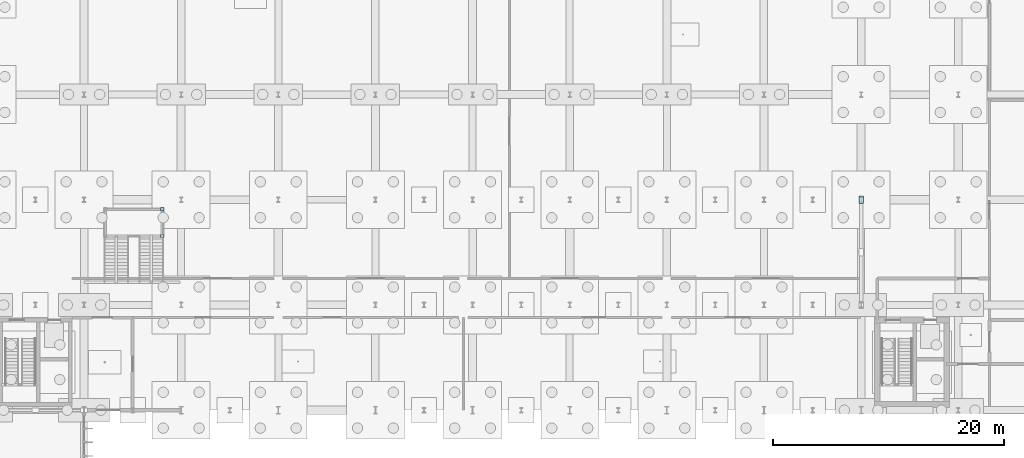
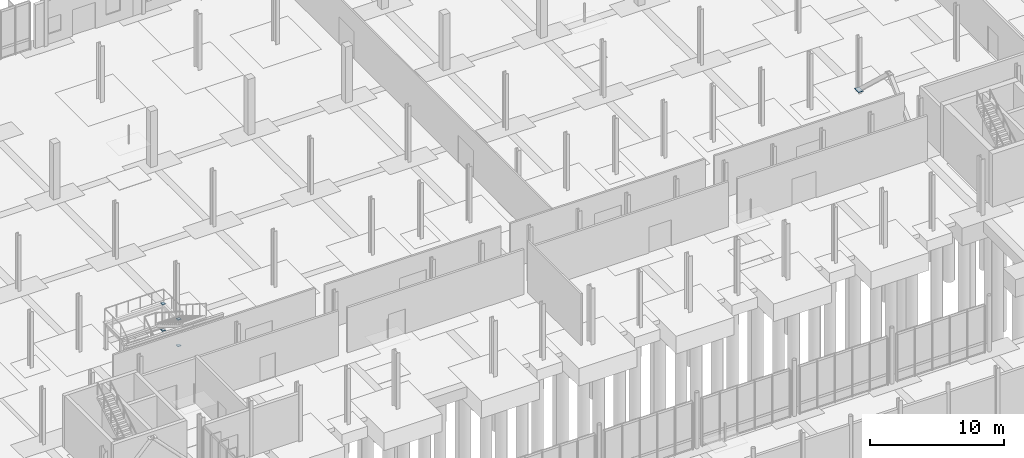
# One storey, part 78 of 119: 5 plates.
"""IFC4 building model written with IfcOpenShell, lengths in metres."""

from ifc_helpers import new_model, si_unit, derived_unit, direction, frame, origin, origin_2d, place, context, subcontext, project, spatial, rectangle, extrude, material, layer, layer_set, type_object, element, save


model = new_model("IFC4")

# Units and contexts
model_context = context("Model", 3, precision=1e-05, world=origin(), true_north=direction((0.0, 1.0)))
body_context = subcontext(model_context, "Body", "Model", "MODEL_VIEW")
ifc_project = project(units=[si_unit("LENGTHUNIT", "METRE"), si_unit("AREAUNIT", "SQUARE_METRE"), si_unit("VOLUMEUNIT", "CUBIC_METRE"), si_unit("PLANEANGLEUNIT", "RADIAN"), si_unit("MASSUNIT", "GRAM", prefix="KILO"), derived_unit("THERMALTRANSMITTANCEUNIT", [(si_unit("MASSUNIT", "GRAM", prefix="KILO"), 1), (si_unit("TIMEUNIT", "SECOND"), -3), (si_unit("THERMODYNAMICTEMPERATUREUNIT", "KELVIN"), -1)])], contexts=[model_context])

# Site, building, storey
site_placement = place(None, origin())
site = spatial("IfcSite", under=ifc_project, at=site_placement, CompositionType="ELEMENT")
building_placement = place(site_placement, origin())
building = spatial("IfcBuilding", under=site, at=building_placement, Name="Makaiwela Harbour Ferry Terminal", CompositionType="ELEMENT")
storey_placement = place(building_placement, origin())
storey = spatial("IfcBuildingStorey", under=building, at=storey_placement, Name="L00", CompositionType="ELEMENT", Elevation=0.0)

# Plates
ifc_material = material(Name="Steel ASTM A572 Grade 50", Category="steel")
ifc_layer_1 = layer(ifc_material, 0.02001953125)
ifc_layer_set_1 = layer_set([ifc_layer_1], Name="Steel ASTM A572 Grade 50")
plate_type_1 = type_object("IfcPlateType", Name="STR-PLT-CAP1", PredefinedType="SHEET", material=ifc_layer_set_1)
for number, where, z_axis, x_axis, name in (
    (1, (78.159912109375, 64.469970703125, -0.01708984375), (0.0, 0.0, 1.0), (1.0, 0.0, 0.0), "Post Sealing Cap Plate PC-0011"),
    (2, (78.159912109375, 64.469970703125, 2.39697265625), (0.0, 0.0, 1.0), (1.0, 0.0, 0.0), "Post Sealing Cap Plate PC-0012"),
    (3, (78.159912109375, 66.780029296875, -0.01708984375), (0.0, 0.0, 1.0), (1.0, 0.0, 0.0), "Post Sealing Cap Plate PC-0015"),
    (4, (78.159912109375, 66.780029296875, 2.39697265625), (0.0, 0.0, 1.0), (1.0, 0.0, 0.0), "Post Sealing Cap Plate PC-0016"),
):
    element("IfcPlate", number, at=place(storey_placement, frame(where, z_axis=z_axis, x_axis=x_axis)), inside=storey, type_object=plate_type_1, Name=name, PredefinedType="SHEET", context=body_context, shape_type="SweptSolid", body=[
        extrude(rectangle(XDim=0.280029296875, YDim=0.280029296875, at=origin_2d()), origin(), (0.0, 0.0, 1.0), 0.02001953125),
    ])
ifc_layer_2 = layer(ifc_material, 0.028076171875)
ifc_layer_set_2 = layer_set([ifc_layer_2], Name="Steel ASTM A572 Grade 50")
plate_type_2 = type_object("IfcPlateType", Name="STR-PLT-GUS3", PredefinedType="USERDEFINED", material=ifc_layer_set_2)
plate_placement = place(storey_placement, frame((138.60009765625, 67.60009765625, 0.2060546875), z_axis=(0.0, 0.0, 1.0), x_axis=(0.0, 1.0, 0.0)))
element("IfcPlate", 5, at=plate_placement, inside=storey, type_object=plate_type_2, Name="Truss Gusset Plate GP-126", ObjectType="GUSSET PLATE", PredefinedType="USERDEFINED", context=body_context, shape_type="SweptSolid", body=[
    extrude(rectangle(XDim=0.639892578125, YDim=0.39990234375, at=origin_2d()), origin(), (0.0, 0.0, 1.0), 0.028076171875),
])

save(model, "model.ifc")
